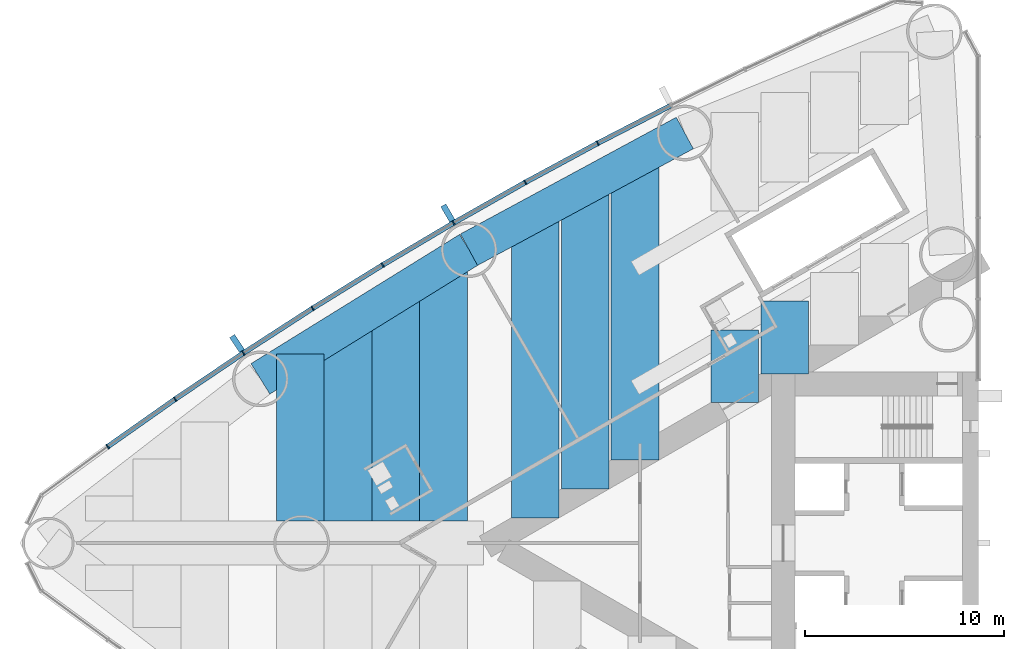
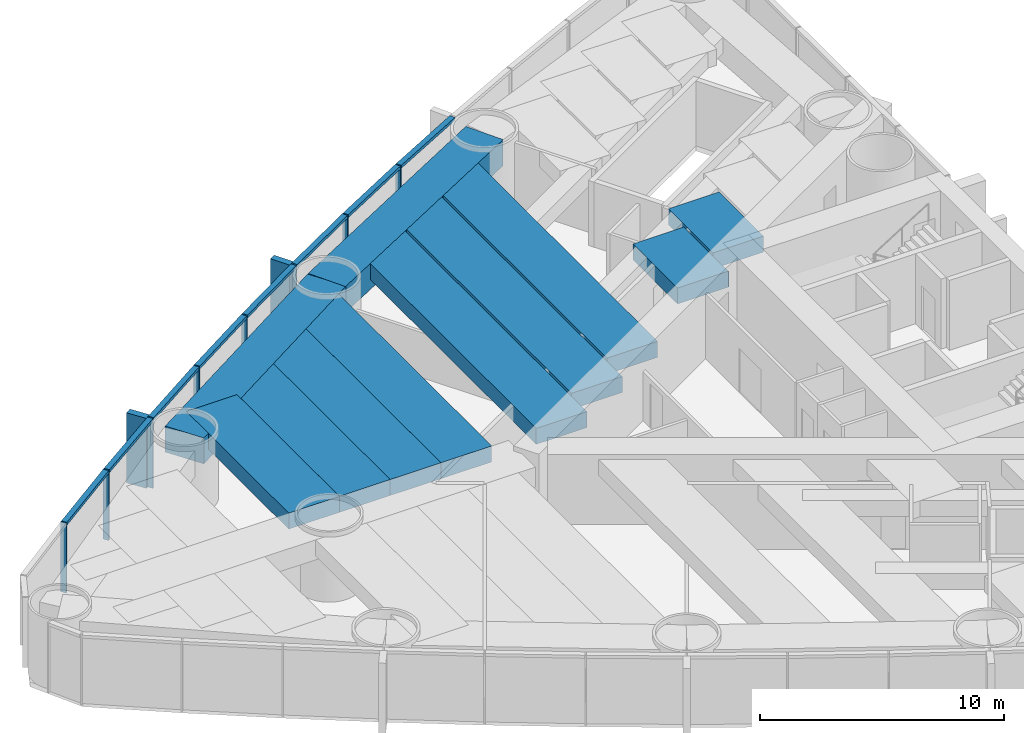
# One storey, part 4 of 18: 18 members, 11 beams, 1 element without a shape of its own.
"""IFC4 building model written with IfcOpenShell, lengths in metres."""

from ifc_helpers import new_model, si_unit, direction, frame, origin, origin_2d, place, context, subcontext, project, spatial, rectangle, extrude, material, material_profile, profile_set, type_object, element, aggregate, save


model = new_model("IFC4")

# Units and contexts
model_context = context("Model", 3, precision=1e-05, world=origin(), true_north=direction((0.0, 1.0)))
body_context = subcontext(model_context, "Body", "Model", "MODEL_VIEW")
ifc_project = project(units=[si_unit("LENGTHUNIT", "METRE"), si_unit("AREAUNIT", "SQUARE_METRE"), si_unit("VOLUMEUNIT", "CUBIC_METRE"), si_unit("PLANEANGLEUNIT", "RADIAN"), si_unit("MASSUNIT", "GRAM", prefix="KILO")], contexts=[model_context])

# Site, building, storey
site_placement = place(None, origin())
site = spatial("IfcSite", under=ifc_project, at=site_placement, CompositionType="ELEMENT")
building_placement = place(site_placement, origin())
building = spatial("IfcBuilding", under=site, at=building_placement, Name="Lancet Gate Hotel", CompositionType="ELEMENT")
storey_placement = place(building_placement, frame((0.0, 0.0, 49.5)))
storey = spatial("IfcBuildingStorey", under=building, at=storey_placement, Name="L12", CompositionType="ELEMENT", Elevation=49.5)

# Curtain wall, members
ifc_material_1 = material(Name="Aluminium curtain wall", Category="aluminium")
curtain_wall_type = type_object("IfcCurtainWallType", Name="Tower unitised curtain wall", PredefinedType="USERDEFINED", material=ifc_material_1)
curtain_wall_placement = place(storey_placement, origin())
curtain_wall = element("IfcCurtainWall", 1, at=curtain_wall_placement, inside=storey, type_object=curtain_wall_type, Name="T1 L12 curtain wall 2", ObjectType="UNITISED CURTAIN WALL", PredefinedType="USERDEFINED")
ifc_material_2 = material(Name="Aluminium mullion", Category="aluminium")
ifc_material_profile_1 = material_profile(ifc_material_2, rectangle(XDim=0.06494140625, YDim=0.25, at=origin_2d()), Name="MULLION 65x250")
ifc_profile_set_1 = profile_set([ifc_material_profile_1], Name="Aluminium mullion")
member_type_1 = type_object("IfcMemberType", Name="Aluminium mullion 65x250", PredefinedType="MULLION", material=ifc_profile_set_1)
member_1_placement = place(storey_placement, frame((-46.6220703125, 20.094970703125, 0.0), z_axis=(0.0, 0.0, 1.0), x_axis=(-0.884311132302, -0.466898084475, 0.0)))
member_1 = element("IfcMember", 2, at=member_1_placement, type_object=member_type_1, Name="T1 L12 curtain wall 2 mullion 6", PredefinedType="MULLION", context=body_context, shape_type="SweptSolid", body=[
    extrude(rectangle(XDim=0.06494140625, YDim=0.25, at=origin_2d()), origin(), (0.0, 0.0, 1.0), 3.5),
])
member_2_placement = place(storey_placement, frame((-50.26416015625, 18.1259765625, 0.0), z_axis=(0.0, 0.0, 1.0), x_axis=(-0.874991035403, -0.484139120464, 0.0)))
member_2 = element("IfcMember", 3, at=member_2_placement, type_object=member_type_1, Name="T1 L12 curtain wall 2 mullion 7", PredefinedType="MULLION", context=body_context, shape_type="SweptSolid", body=[
    extrude(rectangle(XDim=0.06494140625, YDim=0.25, at=origin_2d()), origin(), (0.0, 0.0, 1.0), 3.5),
])
member_3_placement = place(storey_placement, frame((-53.866943359375, 16.086181640625, 0.0), z_axis=(0.0, 0.0, 1.0), x_axis=(-0.86533483912, -0.501194190115, 0.0)))
member_3 = element("IfcMember", 4, at=member_3_placement, type_object=member_type_1, Name="T1 L12 curtain wall 2 mullion 8", PredefinedType="MULLION", context=body_context, shape_type="SweptSolid", body=[
    extrude(rectangle(XDim=0.06494140625, YDim=0.25, at=origin_2d()), origin(), (0.0, 0.0, 1.0), 3.5),
])
member_4_placement = place(storey_placement, frame((-57.42919921875, 13.97607421875, 0.0), z_axis=(0.0, 0.0, 1.0), x_axis=(-0.855346252548, -0.518056742309, 0.0)))
member_4 = element("IfcMember", 5, at=member_4_placement, type_object=member_type_1, Name="T1 L12 curtain wall 2 mullion 9", PredefinedType="MULLION", context=body_context, shape_type="SweptSolid", body=[
    extrude(rectangle(XDim=0.06494140625, YDim=0.25, at=origin_2d()), origin(), (0.0, 0.0, 1.0), 3.5),
])
member_5_placement = place(storey_placement, frame((-60.949462890625, 11.796630859375, 0.0), z_axis=(0.0, 0.0, 1.0), x_axis=(-0.845029112489, -0.534720299827, 0.0)))
member_5 = element("IfcMember", 6, at=member_5_placement, type_object=member_type_1, Name="T1 L12 curtain wall 2 mullion 10", PredefinedType="MULLION", context=body_context, shape_type="SweptSolid", body=[
    extrude(rectangle(XDim=0.06494140625, YDim=0.25, at=origin_2d()), origin(), (0.0, 0.0, 1.0), 3.5),
])
member_6_placement = place(storey_placement, frame((-64.42626953125, 9.548583984375, 0.0), z_axis=(0.0, 0.0, 1.0), x_axis=(-0.834387381945, -0.55117846189, 0.0)))
member_6 = element("IfcMember", 7, at=member_6_placement, type_object=member_type_1, Name="T1 L12 curtain wall 2 mullion 11", PredefinedType="MULLION", context=body_context, shape_type="SweptSolid", body=[
    extrude(rectangle(XDim=0.06494140625, YDim=0.25, at=origin_2d()), origin(), (0.0, 0.0, 1.0), 3.5),
])
member_7_placement = place(storey_placement, frame((-67.858154296875, 7.232666015625, 0.0), z_axis=(0.0, 0.0, 1.0), x_axis=(-0.823425148573, -0.56742490666, 0.0)))
member_7 = element("IfcMember", 8, at=member_7_placement, type_object=member_type_1, Name="T1 L12 curtain wall 2 mullion 12", PredefinedType="MULLION", context=body_context, shape_type="SweptSolid", body=[
    extrude(rectangle(XDim=0.06494140625, YDim=0.25, at=origin_2d()), origin(), (0.0, 0.0, 1.0), 3.5),
])
member_8_placement = place(storey_placement, frame((-71.244384765625, 4.85009765625, 0.0), z_axis=(0.0, 0.0, 1.0), x_axis=(-0.812146623168, -0.583453393578, 0.0)))
member_8 = element("IfcMember", 9, at=member_8_placement, type_object=member_type_1, Name="T1 L12 curtain wall 2 mullion 13", PredefinedType="MULLION", context=body_context, shape_type="SweptSolid", body=[
    extrude(rectangle(XDim=0.06494140625, YDim=0.25, at=origin_2d()), origin(), (0.0, 0.0, 1.0), 3.5),
])
ifc_material_3 = material(Name="Aluminium transom", Category="aluminium")
ifc_material_profile_2 = material_profile(ifc_material_3, rectangle(XDim=0.25, YDim=0.14990234375, at=origin_2d()), Name="TRANSOM 250x150")
ifc_profile_set_2 = profile_set([ifc_material_profile_2], Name="Aluminium transom")
member_type_2 = type_object("IfcMemberType", Name="Aluminium transom 250x150", PredefinedType="USERDEFINED", material=ifc_profile_set_2)
member_9_placement = place(storey_placement, frame((-42.970703125, 21.97705078125, 3.425048828125), z_axis=(-0.888859972399, -0.458178949175, 0.0), x_axis=(0.458178949175, -0.888859972399, 0.0)))
member_9 = element("IfcMember", 10, at=member_9_placement, type_object=member_type_2, Name="T1 L12 curtain wall 2 transom 5", ObjectType="TRANSOM", PredefinedType="USERDEFINED", context=body_context, shape_type="SweptSolid", body=[
    extrude(rectangle(XDim=0.25, YDim=0.14990234375, at=origin_2d()), origin(), (0.0, 0.0, 1.0), 4.0751953125),
])
member_10_placement = place(storey_placement, frame((-46.650634765625, 20.079345703125, 3.425048828125), z_axis=(-0.87971396408, -0.475503250675, 0.0), x_axis=(0.475503250675, -0.87971396408, 0.0)))
member_10 = element("IfcMember", 11, at=member_10_placement, type_object=member_type_2, Name="T1 L12 curtain wall 2 transom 6", ObjectType="TRANSOM", PredefinedType="USERDEFINED", context=body_context, shape_type="SweptSolid", body=[
    extrude(rectangle(XDim=0.25, YDim=0.14990234375, at=origin_2d()), origin(), (0.0, 0.0, 1.0), 4.0751953125),
])
member_11_placement = place(storey_placement, frame((-50.29248046875, 18.110107421875, 3.425048828125), z_axis=(-0.870197729943, -0.492702659625, 0.0), x_axis=(0.492702659625, -0.870197729943, 0.0)))
member_11 = element("IfcMember", 12, at=member_11_placement, type_object=member_type_2, Name="T1 L12 curtain wall 2 transom 7", ObjectType="TRANSOM", PredefinedType="USERDEFINED", context=body_context, shape_type="SweptSolid", body=[
    extrude(rectangle(XDim=0.25, YDim=0.14990234375, at=origin_2d()), origin(), (0.0, 0.0, 1.0), 4.0751953125),
])
member_12_placement = place(storey_placement, frame((-53.89501953125, 16.069580078125, 3.425048828125), z_axis=(-0.86039174806, -0.509633240547, 0.0), x_axis=(0.509633240547, -0.86039174806, 0.0)))
member_12 = element("IfcMember", 13, at=member_12_placement, type_object=member_type_2, Name="T1 L12 curtain wall 2 transom 8", ObjectType="TRANSOM", PredefinedType="USERDEFINED", context=body_context, shape_type="SweptSolid", body=[
    extrude(rectangle(XDim=0.25, YDim=0.14990234375, at=origin_2d()), origin(), (0.0, 0.0, 1.0), 4.0751953125),
])
member_13_placement = place(storey_placement, frame((-57.456787109375, 13.958984375, 3.425048828125), z_axis=(-0.850242165643, -0.526391736032, 0.0), x_axis=(0.526391736032, -0.850242165643, 0.0)))
member_13 = element("IfcMember", 14, at=member_13_placement, type_object=member_type_2, Name="T1 L12 curtain wall 2 transom 9", ObjectType="TRANSOM", PredefinedType="USERDEFINED", context=body_context, shape_type="SweptSolid", body=[
    extrude(rectangle(XDim=0.25, YDim=0.14990234375, at=origin_2d()), origin(), (0.0, 0.0, 1.0), 4.075439453125),
])
member_14_placement = place(storey_placement, frame((-60.976806640625, 11.779052734375, 3.425048828125), z_axis=(-0.839729242404, -0.543005340169, 0.0), x_axis=(0.543005340169, -0.839729242404, 0.0)))
member_14 = element("IfcMember", 15, at=member_14_placement, type_object=member_type_2, Name="T1 L12 curtain wall 2 transom 10", ObjectType="TRANSOM", PredefinedType="USERDEFINED", context=body_context, shape_type="SweptSolid", body=[
    extrude(rectangle(XDim=0.25, YDim=0.14990234375, at=origin_2d()), origin(), (0.0, 0.0, 1.0), 4.0751953125),
])
member_15_placement = place(storey_placement, frame((-64.453125, 9.5302734375, 3.425048828125), z_axis=(-0.828959086782, -0.559309245804, 0.0), x_axis=(0.559309245804, -0.828959086782, 0.0)))
member_15 = element("IfcMember", 16, at=member_15_placement, type_object=member_type_2, Name="T1 L12 curtain wall 2 transom 11", ObjectType="TRANSOM", PredefinedType="USERDEFINED", context=body_context, shape_type="SweptSolid", body=[
    extrude(rectangle(XDim=0.25, YDim=0.14990234375, at=origin_2d()), origin(), (0.0, 0.0, 1.0), 4.0751953125),
])
member_16_placement = place(storey_placement, frame((-67.884765625, 7.214111328125, 3.425048828125), z_axis=(-0.817833568345, -0.57545482402, 0.0), x_axis=(0.57545482402, -0.817833568345, 0.0)))
member_16 = element("IfcMember", 17, at=member_16_placement, type_object=member_type_2, Name="T1 L12 curtain wall 2 transom 12", ObjectType="TRANSOM", PredefinedType="USERDEFINED", context=body_context, shape_type="SweptSolid", body=[
    extrude(rectangle(XDim=0.25, YDim=0.14990234375, at=origin_2d()), origin(), (0.0, 0.0, 1.0), 4.075439453125),
])

# Beams
ifc_material_4 = material(Name="Concrete C50/60", Category="concrete")
ifc_material_profile_3 = material_profile(ifc_material_4, rectangle(XDim=1.800048828125, YDim=1.300048828125, at=origin_2d()), Name="RC 1800x1300")
ifc_profile_set_3 = profile_set([ifc_material_profile_3], Name="Concrete C50/60")
beam_type_1 = type_object("IfcBeamType", Name="Edge beam RC 1800x1300", PredefinedType="SPANDREL", material=ifc_profile_set_3)
for number, where, z_axis, x_axis, name in (
    (18, (-42.2451171875, 20.607421875, 2.60009765625), (-0.879692855603, -0.475542300749, 0.0), (0.475542300749, -0.879692855603, 0.0), "T1 edge beam EB1 L12"),
    (19, (-53.090087890625, 14.744873046875, 2.60009765625), (-0.850225894333, -0.526418016984, 0.0), (0.526418016984, -0.850225894333, 0.0), "T1 edge beam EB1 L12"),
):
    element("IfcBeam", number, at=place(storey_placement, frame(where, z_axis=z_axis, x_axis=x_axis)), inside=storey, type_object=beam_type_1, Name=name, PredefinedType="SPANDREL", context=body_context, shape_type="SweptSolid", body=[
        extrude(rectangle(XDim=1.800048828125, YDim=1.300048828125, at=origin_2d()), origin(), (0.0, 0.0, 1.0), 12.328125),
    ])

# Member
ifc_material_5 = material(Name="Precast concrete C50/60", Category="concrete")
ifc_material_profile_4 = material_profile(ifc_material_5, rectangle(XDim=0.300048828125, YDim=0.89990234375, at=origin_2d()), Name="FIN 300x900")
ifc_profile_set_4 = profile_set([ifc_material_profile_4], Name="Precast concrete C50/60")
member_type_3 = type_object("IfcMemberType", Name="Exposed concrete fin 300x900", PredefinedType="USERDEFINED", material=ifc_profile_set_4)
member_17_placement = place(storey_placement, frame((-54.1552734375, 16.583740234375, 0.0), z_axis=(0.0, 0.0, 1.0), x_axis=(-0.86533483912, -0.501194190115, 0.0)))
member_17 = element("IfcMember", 20, at=member_17_placement, type_object=member_type_3, Name="T1 L12 curtain wall 2 fin 8", ObjectType="FIN", PredefinedType="USERDEFINED", context=body_context, shape_type="SweptSolid", body=[
    extrude(rectangle(XDim=0.300048828125, YDim=0.89990234375, at=origin_2d()), origin(), (0.0, 0.0, 1.0), 3.5),
])

member_18_placement = place(storey_placement, frame((-64.7431640625, 10.0283203125, 0.0), z_axis=(0.0, 0.0, 1.0), x_axis=(-0.834387381945, -0.55117846189, 0.0)))
member_18 = element("IfcMember", 21, at=member_18_placement, type_object=member_type_3, Name="T1 L12 curtain wall 2 fin 11", ObjectType="FIN", PredefinedType="USERDEFINED", context=body_context, shape_type="SweptSolid", body=[
    extrude(rectangle(XDim=0.300048828125, YDim=0.89990234375, at=origin_2d()), origin(), (0.0, 0.0, 1.0), 3.5),
])

aggregate(curtain_wall, [member_1, member_2, member_3, member_17, member_4, member_5, member_6, member_18, member_7, member_8, member_9, member_10, member_11, member_12, member_13, member_14, member_15, member_16])

# Beams
ifc_material_6 = material(Name="Concrete C50/60", Category="concrete")
ifc_material_profile_5 = material_profile(ifc_material_6, rectangle(XDim=2.39990234375, YDim=0.800048828125, at=origin_2d()), Name="RC 2400x800")
ifc_profile_set_5 = profile_set([ifc_material_profile_5], Name="Concrete C50/60")
beam_type_2 = type_object("IfcBeamType", Name="Floor beam RC 2400x800", PredefinedType="BEAM", material=ifc_profile_set_5)
beam_1_placement = place(storey_placement, frame((-44.747802734375, 19.254638671875, 2.85009765625), z_axis=(0.0, -1.0, 0.0), x_axis=(1.0, 0.0, 0.0)))
element("IfcBeam", 22, at=beam_1_placement, inside=storey, type_object=beam_type_2, Name="T1 floor beam F09S L12", PredefinedType="BEAM", context=body_context, shape_type="SweptSolid", body=[
    extrude(rectangle(XDim=2.39990234375, YDim=0.800048828125, at=origin_2d()), origin(), (0.0, 0.0, 1.0), 15.0859375),
])
beam_2_placement = place(storey_placement, frame((-47.254638671875, 17.8994140625, 2.85009765625), z_axis=(0.0, -1.0, 0.0), x_axis=(1.0, 0.0, 0.0)))
element("IfcBeam", 23, at=beam_2_placement, inside=storey, type_object=beam_type_2, Name="T1 floor beam F10S L12", PredefinedType="BEAM", context=body_context, shape_type="SweptSolid", body=[
    extrude(rectangle(XDim=2.39990234375, YDim=0.800048828125, at=origin_2d()), origin(), (0.0, 0.0, 1.0), 15.177978515625),
])
beam_3_placement = place(storey_placement, frame((-49.761474609375, 16.54443359375, 2.85009765625), z_axis=(0.0, -1.0, 0.0), x_axis=(1.0, 0.0, 0.0)))
element("IfcBeam", 24, at=beam_3_placement, inside=storey, type_object=beam_type_2, Name="T1 floor beam F12S L12", PredefinedType="BEAM", context=body_context, shape_type="SweptSolid", body=[
    extrude(rectangle(XDim=2.39990234375, YDim=0.800048828125, at=origin_2d()), origin(), (0.0, 0.0, 1.0), 15.270263671875),
])
beam_4_placement = place(storey_placement, frame((-54.3681640625, 13.95361328125, 2.85009765625), z_axis=(0.0, -1.0, 0.0), x_axis=(1.0, 0.0, 0.0)))
element("IfcBeam", 25, at=beam_4_placement, inside=storey, type_object=beam_type_2, Name="T1 floor beam F13S L12", PredefinedType="BEAM", context=body_context, shape_type="SweptSolid", body=[
    extrude(rectangle(XDim=2.39990234375, YDim=0.800048828125, at=origin_2d()), origin(), (0.0, 0.0, 1.0), 12.853515625),
])
beam_5_placement = place(storey_placement, frame((-56.768310546875, 12.467529296875, 2.85009765625), z_axis=(0.0, -1.0, 0.0), x_axis=(1.0, 0.0, 0.0)))
element("IfcBeam", 26, at=beam_5_placement, inside=storey, type_object=beam_type_2, Name="T1 floor beam F15S L12", PredefinedType="BEAM", context=body_context, shape_type="SweptSolid", body=[
    extrude(rectangle(XDim=2.39990234375, YDim=0.800048828125, at=origin_2d()), origin(), (0.0, 0.0, 1.0), 11.367431640625),
])
beam_6_placement = place(storey_placement, frame((-59.168212890625, 10.981689453125, 2.85009765625), z_axis=(0.0, -1.0, 0.0), x_axis=(1.0, 0.0, 0.0)))
element("IfcBeam", 27, at=beam_6_placement, inside=storey, type_object=beam_type_2, Name="T1 floor beam F17S L12", PredefinedType="BEAM", context=body_context, shape_type="SweptSolid", body=[
    extrude(rectangle(XDim=2.39990234375, YDim=0.800048828125, at=origin_2d()), origin(), (0.0, 0.0, 1.0), 9.881591796875),
])
beam_7_placement = place(storey_placement, frame((-61.568359375, 9.495849609375, 2.85009765625), z_axis=(0.0, -1.0, 0.0), x_axis=(1.0, 0.0, 0.0)))
element("IfcBeam", 28, at=beam_7_placement, inside=storey, type_object=beam_type_2, Name="T1 floor beam F19S L12", PredefinedType="BEAM", context=body_context, shape_type="SweptSolid", body=[
    extrude(rectangle(XDim=2.39990234375, YDim=0.800048828125, at=origin_2d()), origin(), (0.0, 0.0, 1.0), 8.395751953125),
])
beam_8_placement = place(storey_placement, frame((-37.227294921875, 12.15625, 2.85009765625), z_axis=(0.0, -1.0, 0.0), x_axis=(1.0, 0.0, 0.0)))
element("IfcBeam", 29, at=beam_8_placement, inside=storey, type_object=beam_type_2, Name="T1 floor beam F05SB L12", PredefinedType="BEAM", context=body_context, shape_type="SweptSolid", body=[
    extrude(rectangle(XDim=2.39990234375, YDim=0.800048828125, at=origin_2d()), origin(), (0.0, 0.0, 1.0), 3.6455078125),
])
beam_9_placement = place(storey_placement, frame((-39.734130859375, 10.708740234375, 2.85009765625), z_axis=(0.0, -1.0, 0.0), x_axis=(1.0, 0.0, 0.0)))
element("IfcBeam", 30, at=beam_9_placement, inside=storey, type_object=beam_type_2, Name="T1 floor beam F07SB L12", PredefinedType="BEAM", context=body_context, shape_type="SweptSolid", body=[
    extrude(rectangle(XDim=2.39990234375, YDim=0.800048828125, at=origin_2d()), origin(), (0.0, 0.0, 1.0), 3.645263671875),
])

save(model, "model.ifc")
